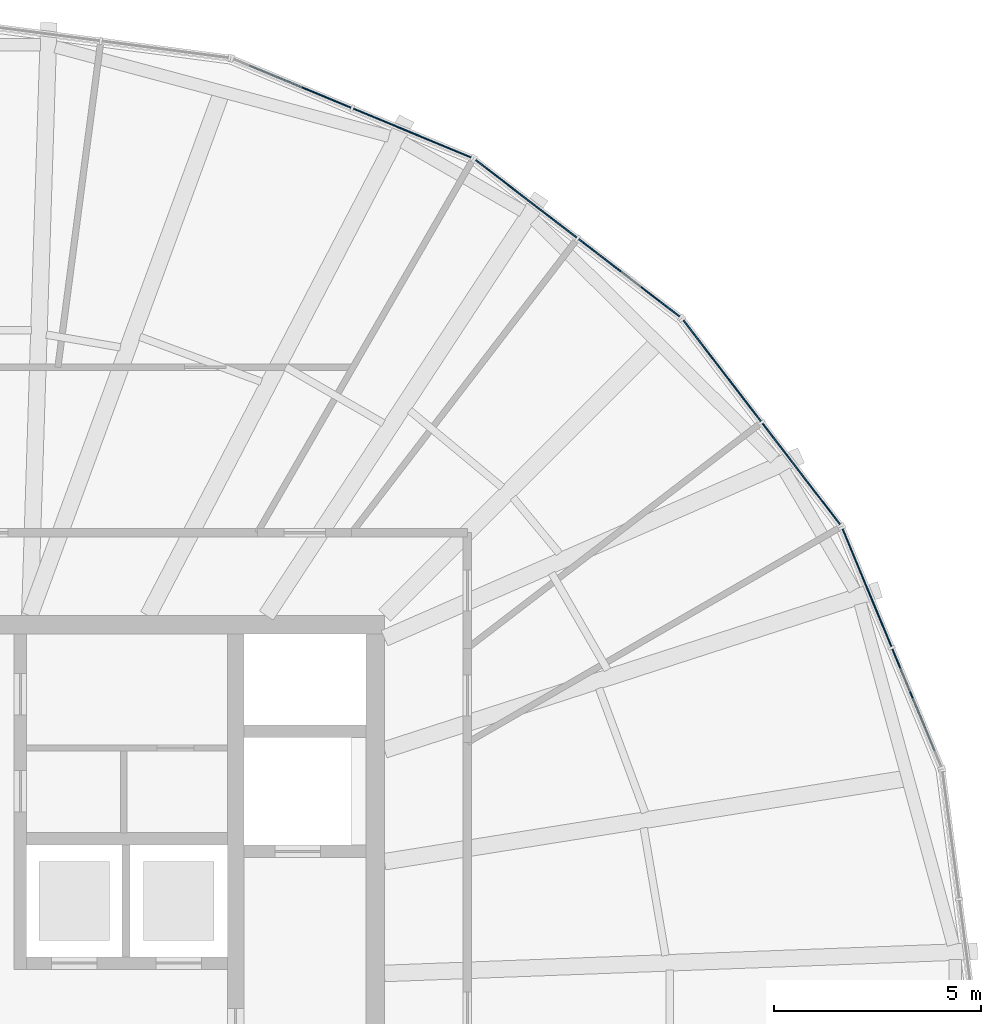
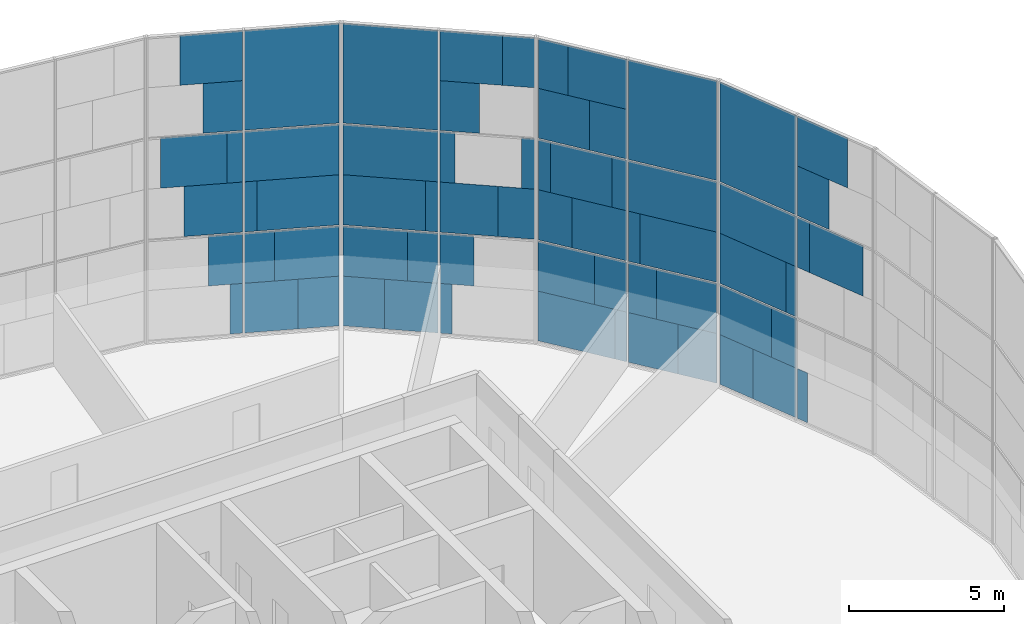
# One storey, part 17 of 22: 66 plates, 4 elements without a shape of their own.
"""IFC4 building model written with IfcOpenShell, lengths in metres."""

from ifc_helpers import new_model, si_unit, direction, frame, origin, origin_2d, place, context, subcontext, project, spatial, rectangle, extrude, material, layer, layer_set, type_object, element, aggregate, save


model = new_model("IFC4")

# Units and contexts
model_context = context("Model", 3, precision=1e-05, world=origin(), true_north=direction((0.0, 1.0)))
body_context = subcontext(model_context, "Body", "Model", "MODEL_VIEW")
ifc_project = project(units=[si_unit("LENGTHUNIT", "METRE"), si_unit("AREAUNIT", "SQUARE_METRE"), si_unit("VOLUMEUNIT", "CUBIC_METRE"), si_unit("PLANEANGLEUNIT", "RADIAN"), si_unit("MASSUNIT", "GRAM", prefix="KILO")], contexts=[model_context])

# Site, building, storey
site_placement = place(None, origin())
site = spatial("IfcSite", under=ifc_project, at=site_placement, CompositionType="ELEMENT")
building_placement = place(site_placement, origin())
building = spatial("IfcBuilding", under=site, at=building_placement, Name="Golbaran Civic Tower", CompositionType="ELEMENT")
storey_placement = place(building_placement, frame((0.0, 0.0, 155.0)))
storey = spatial("IfcBuildingStorey", under=building, at=storey_placement, Name="L37", CompositionType="ELEMENT", Elevation=155.0)

# Curtain wall, plates
ifc_material_1 = material(Name="Aluminium and glass", Category="aluminium")
curtain_wall_type = type_object("IfcCurtainWallType", Name="INNER SKIN CURTAIN WALL", PredefinedType="NOTDEFINED", material=ifc_material_1)
curtain_wall_1_placement = place(storey_placement, origin())
curtain_wall_1 = element("IfcCurtainWall", 1, at=curtain_wall_1_placement, inside=storey, type_object=curtain_wall_type, Name="Inner skin L37 facet 2 CW1", ObjectType="INNER SKIN", PredefinedType="USERDEFINED")
ifc_material_2 = material(Name="Clear insulating glass", Category="glass")
ifc_layer_1 = layer(ifc_material_2, 0.031982421875, Name="Clear insulating glass")
ifc_layer_set_1 = layer_set([ifc_layer_1], Name="Clear insulating glass")
plate_type_1 = type_object("IfcPlateType", Name="INNER SKIN CURTAIN WALL GLAZED PANEL", PredefinedType="CURTAIN_PANEL", material=ifc_layer_set_1)
plate_1_placement = place(storey_placement, frame((22.367431640625, 8.9609375, 6.0), z_axis=(0.0, 0.0, 1.0), x_axis=(-0.382683432268, 0.923879532551, 0.0)))
plate_1 = element("IfcPlate", 2, at=plate_1_placement, type_object=plate_type_1, Name="CW1 panel 1.2 part 5", PredefinedType="CURTAIN_PANEL", context=body_context, shape_type="SweptSolid", body=[
    extrude(rectangle(XDim=0.49658203125, YDim=0.031982421875, at=origin_2d()), origin(), (0.0, 0.0, 1.0), 1.967529296875),
])
plate_2_placement = place(storey_placement, frame((22.517578125, 8.598388671875, 8.032470703125), z_axis=(0.0, 0.0, 1.0), x_axis=(-0.382683432268, 0.923879532551, 0.0)))
plate_2 = element("IfcPlate", 3, at=plate_2_placement, type_object=plate_type_1, Name="CW1 panel 1.3 part 2", PredefinedType="CURTAIN_PANEL", context=body_context, shape_type="SweptSolid", body=[
    extrude(rectangle(XDim=1.281494140625, YDim=0.031982421875, at=origin_2d()), origin(), (0.0, 0.0, 1.0), 1.951171875),
])
plate_3_placement = place(storey_placement, frame((22.661865234375, 8.25, 9.98388671875), z_axis=(0.0, 0.0, 1.0), x_axis=(-0.382683432268, 0.923879532551, 0.0)))
plate_3 = element("IfcPlate", 4, at=plate_3_placement, type_object=plate_type_1, Name="CW1 panel 1.3 part 4", PredefinedType="CURTAIN_PANEL", context=body_context, shape_type="SweptSolid", body=[
    extrude(rectangle(XDim=2.03564453125, YDim=0.031982421875, at=origin_2d()), origin(), (0.0, 0.0, 1.0), 1.951171875),
])
plate_4_placement = place(storey_placement, frame((21.328369140625, 11.4697265625, 0.06494140625), z_axis=(0.0, 0.0, 1.0), x_axis=(-0.382683432268, 0.923879532551, 0.0)))
plate_4 = element("IfcPlate", 5, at=plate_4_placement, type_object=plate_type_1, Name="CW1 panel 2.1 part 2", PredefinedType="CURTAIN_PANEL", context=body_context, shape_type="SweptSolid", body=[
    extrude(rectangle(XDim=1.344482421875, YDim=0.031982421875, at=origin_2d()), origin(), (0.0, 0.0, 1.0), 1.951171875),
])
plate_5_placement = place(storey_placement, frame((21.47265625, 11.12158203125, 2.016357421875), z_axis=(0.0, 0.0, 1.0), x_axis=(-0.382683432268, 0.923879532551, 0.0)))
plate_5 = element("IfcPlate", 6, at=plate_5_placement, type_object=plate_type_1, Name="CW1 panel 2.1 part 4", PredefinedType="CURTAIN_PANEL", context=body_context, shape_type="SweptSolid", body=[
    extrude(rectangle(XDim=2.0986328125, YDim=0.031982421875, at=origin_2d()), origin(), (0.0, 0.0, 1.0), 1.951171875),
])
plate_6_placement = place(storey_placement, frame((21.582763671875, 10.85546875, 4.03271484375), z_axis=(0.0, 0.0, 1.0), x_axis=(-0.382683432268, 0.923879532551, 0.0)))
plate_6 = element("IfcPlate", 7, at=plate_6_placement, type_object=plate_type_1, Name="CW1 panel 2.2 part 2", PredefinedType="CURTAIN_PANEL", context=body_context, shape_type="SweptSolid", body=[
    extrude(rectangle(XDim=2.674560546875, YDim=0.031982421875, at=origin_2d()), origin(), (0.0, 0.0, 1.0), 1.967529296875),
])
plate_7_placement = place(storey_placement, frame((21.659423828125, 10.670654296875, 6.0), z_axis=(0.0, 0.0, 1.0), x_axis=(-0.382683432268, 0.923879532551, 0.0)))
plate_7 = element("IfcPlate", 8, at=plate_7_placement, type_object=plate_type_1, Name="CW1 panel 2.2 part 3", PredefinedType="CURTAIN_PANEL", context=body_context, shape_type="SweptSolid", body=[
    extrude(rectangle(XDim=3.074462890625, YDim=0.031982421875, at=origin_2d()), origin(), (0.0, 0.0, 1.0), 1.967529296875),
])
plate_8_placement = place(storey_placement, frame((21.659423828125, 10.670654296875, 8.0322265625), z_axis=(0.0, 0.0, 1.0), x_axis=(-0.382683432268, 0.923879532551, 0.0)))
plate_8 = element("IfcPlate", 9, at=plate_8_placement, type_object=plate_type_1, Name="CW1 panel 2.3", PredefinedType="CURTAIN_PANEL", context=body_context, shape_type="SweptSolid", body=[
    extrude(rectangle(XDim=3.074462890625, YDim=0.031982421875, at=origin_2d()), origin(), (0.0, 0.0, 1.0), 3.902587890625),
])

curtain_wall_2_placement = place(storey_placement, origin())
curtain_wall_2 = element("IfcCurtainWall", 10, at=curtain_wall_2_placement, inside=storey, type_object=curtain_wall_type, Name="Inner skin L37 facet 3 CW1", ObjectType="INNER SKIN", PredefinedType="USERDEFINED")
plate_9_placement = place(storey_placement, frame((20.59716796875, 12.736083984375, 0.06494140625), z_axis=(0.0, 0.0, 1.0), x_axis=(-0.608761429106, 0.793353340217, 0.0)))
plate_9 = element("IfcPlate", 11, at=plate_9_placement, type_object=plate_type_1, Name="CW1 panel 1.1 part 1", PredefinedType="CURTAIN_PANEL", context=body_context, shape_type="SweptSolid", body=[
    extrude(rectangle(XDim=1.344970703125, YDim=0.031982421875, at=origin_2d()), origin(), (0.0, 0.0, 1.0), 1.951171875),
])
plate_10_placement = place(storey_placement, frame((20.367919921875, 13.034912109375, 2.016357421875), z_axis=(0.0, 0.0, 1.0), x_axis=(-0.608761429106, 0.793353340217, 0.0)))
plate_10 = element("IfcPlate", 12, at=plate_10_placement, type_object=plate_type_1, Name="CW1 panel 1.1 part 3", PredefinedType="CURTAIN_PANEL", context=body_context, shape_type="SweptSolid", body=[
    extrude(rectangle(XDim=2.097900390625, YDim=0.031982421875, at=origin_2d()), origin(), (0.0, 0.0, 1.0), 1.951171875),
])
plate_11_placement = place(storey_placement, frame((20.19287109375, 13.262939453125, 4.03271484375), z_axis=(0.0, 0.0, 1.0), x_axis=(-0.608761429106, 0.793353340217, 0.0)))
plate_11 = element("IfcPlate", 13, at=plate_11_placement, type_object=plate_type_1, Name="CW1 panel 1.2 part 1", PredefinedType="CURTAIN_PANEL", context=body_context, shape_type="SweptSolid", body=[
    extrude(rectangle(XDim=2.673095703125, YDim=0.031982421875, at=origin_2d()), origin(), (0.0, 0.0, 1.0), 1.967529296875),
])
plate_12_placement = place(storey_placement, frame((20.07080078125, 13.422119140625, 6.0), z_axis=(0.0, 0.0, 1.0), x_axis=(-0.608761429106, 0.793353340217, 0.0)))
plate_12 = element("IfcPlate", 14, at=plate_12_placement, type_object=plate_type_1, Name="CW1 panel 1.2 part 3", PredefinedType="CURTAIN_PANEL", context=body_context, shape_type="SweptSolid", body=[
    extrude(rectangle(XDim=3.074462890625, YDim=0.031982421875, at=origin_2d()), origin(), (0.0, 0.0, 1.0), 1.967529296875),
])
plate_13_placement = place(storey_placement, frame((20.07080078125, 13.422119140625, 8.0322265625), z_axis=(0.0, 0.0, 1.0), x_axis=(-0.608761429106, 0.793353340217, 0.0)))
plate_13 = element("IfcPlate", 15, at=plate_13_placement, type_object=plate_type_1, Name="CW1 panel 1.3", PredefinedType="CURTAIN_PANEL", context=body_context, shape_type="SweptSolid", body=[
    extrude(rectangle(XDim=3.074462890625, YDim=0.031982421875, at=origin_2d()), origin(), (0.0, 0.0, 1.0), 3.902587890625),
])
plate_14_placement = place(storey_placement, frame((18.037353515625, 16.072021484375, 0.06494140625), z_axis=(0.0, 0.0, 1.0), x_axis=(-0.608761429106, 0.793353340217, 0.0)))
plate_14 = element("IfcPlate", 16, at=plate_14_placement, type_object=plate_type_1, Name="CW1 panel 2.1 part 2", PredefinedType="CURTAIN_PANEL", context=body_context, shape_type="SweptSolid", body=[
    extrude(rectangle(XDim=2.673583984375, YDim=0.031982421875, at=origin_2d()), origin(), (0.0, 0.0, 1.0), 1.951171875),
])
plate_15_placement = place(storey_placement, frame((17.821533203125, 16.353271484375, 2.016357421875), z_axis=(0.0, 0.0, 1.0), x_axis=(-0.608761429106, 0.793353340217, 0.0)))
plate_15 = element("IfcPlate", 17, at=plate_15_placement, type_object=plate_type_1, Name="CW1 panel 2.1 part 4", PredefinedType="CURTAIN_PANEL", context=body_context, shape_type="SweptSolid", body=[
    extrude(rectangle(XDim=1.964599609375, YDim=0.031982421875, at=origin_2d()), origin(), (0.0, 0.0, 1.0), 1.951171875),
])
plate_16_placement = place(storey_placement, frame((17.582763671875, 16.66455078125, 4.03271484375), z_axis=(0.0, 0.0, 1.0), x_axis=(-0.608761429106, 0.793353340217, 0.0)))
plate_16 = element("IfcPlate", 18, at=plate_16_placement, type_object=plate_type_1, Name="CW1 panel 2.2 part 2", PredefinedType="CURTAIN_PANEL", context=body_context, shape_type="SweptSolid", body=[
    extrude(rectangle(XDim=1.179443359375, YDim=0.031982421875, at=origin_2d()), origin(), (0.0, 0.0, 1.0), 1.967529296875),
])
plate_17_placement = place(storey_placement, frame((18.944091796875, 14.890380859375, 6.0), z_axis=(0.0, 0.0, 1.0), x_axis=(-0.608761429106, 0.793353340217, 0.0)))
plate_17 = element("IfcPlate", 19, at=plate_17_placement, type_object=plate_type_1, Name="CW1 panel 2.2 part 3", PredefinedType="CURTAIN_PANEL", context=body_context, shape_type="SweptSolid", body=[
    extrude(rectangle(XDim=0.4970703125, YDim=0.031982421875, at=origin_2d()), origin(), (0.0, 0.0, 1.0), 1.967529296875),
])
plate_18_placement = place(storey_placement, frame((17.351318359375, 16.966064453125, 6.0), z_axis=(0.0, 0.0, 1.0), x_axis=(-0.608761429106, 0.793353340217, 0.0)))
plate_18 = element("IfcPlate", 20, at=plate_18_placement, type_object=plate_type_1, Name="CW1 panel 2.2 part 5", PredefinedType="CURTAIN_PANEL", context=body_context, shape_type="SweptSolid", body=[
    extrude(rectangle(XDim=0.41943359375, YDim=0.031982421875, at=origin_2d()), origin(), (0.0, 0.0, 1.0), 1.967529296875),
])
plate_19_placement = place(storey_placement, frame((18.705078125, 15.201904296875, 8.032470703125), z_axis=(0.0, 0.0, 1.0), x_axis=(-0.608761429106, 0.793353340217, 0.0)))
plate_19 = element("IfcPlate", 21, at=plate_19_placement, type_object=plate_type_1, Name="CW1 panel 2.3 part 1", PredefinedType="CURTAIN_PANEL", context=body_context, shape_type="SweptSolid", body=[
    extrude(rectangle(XDim=1.281982421875, YDim=0.031982421875, at=origin_2d()), origin(), (0.0, 0.0, 1.0), 1.951171875),
])
plate_20_placement = place(storey_placement, frame((18.475830078125, 15.50048828125, 9.98388671875), z_axis=(0.0, 0.0, 1.0), x_axis=(-0.608761429106, 0.793353340217, 0.0)))
plate_20 = element("IfcPlate", 22, at=plate_20_placement, type_object=plate_type_1, Name="CW1 panel 2.3 part 3", PredefinedType="CURTAIN_PANEL", context=body_context, shape_type="SweptSolid", body=[
    extrude(rectangle(XDim=2.034912109375, YDim=0.031982421875, at=origin_2d()), origin(), (0.0, 0.0, 1.0), 1.951171875),
])

curtain_wall_3_placement = place(storey_placement, origin())
curtain_wall_3 = element("IfcCurtainWall", 23, at=curtain_wall_3_placement, inside=storey, type_object=curtain_wall_type, Name="Inner skin L37 facet 4 CW1", ObjectType="INNER SKIN", PredefinedType="USERDEFINED")
plate_21_placement = place(storey_placement, frame((16.66455078125, 17.582763671875, 4.03271484375), z_axis=(0.0, 0.0, 1.0), x_axis=(-0.793353340217, 0.608761429106, 0.0)))
plate_21 = element("IfcPlate", 24, at=plate_21_placement, type_object=plate_type_1, Name="CW1 panel 1.2 part 1", PredefinedType="CURTAIN_PANEL", context=body_context, shape_type="SweptSolid", body=[
    extrude(rectangle(XDim=1.179931640625, YDim=0.031982421875, at=origin_2d()), origin(), (0.0, 0.0, 1.0), 1.967529296875),
])
plate_22_placement = place(storey_placement, frame((16.9658203125, 17.3515625, 6.0), z_axis=(0.0, 0.0, 1.0), x_axis=(-0.793353340217, 0.608761429106, 0.0)))
plate_22 = element("IfcPlate", 25, at=plate_22_placement, type_object=plate_type_1, Name="CW1 panel 1.2 part 3", PredefinedType="CURTAIN_PANEL", context=body_context, shape_type="SweptSolid", body=[
    extrude(rectangle(XDim=0.419921875, YDim=0.031982421875, at=origin_2d()), origin(), (0.0, 0.0, 1.0), 1.967529296875),
])
plate_23_placement = place(storey_placement, frame((14.890380859375, 18.944091796875, 6.0), z_axis=(0.0, 0.0, 1.0), x_axis=(-0.793353340217, 0.608761429106, 0.0)))
plate_23 = element("IfcPlate", 26, at=plate_23_placement, type_object=plate_type_1, Name="CW1 panel 1.2 part 5", PredefinedType="CURTAIN_PANEL", context=body_context, shape_type="SweptSolid", body=[
    extrude(rectangle(XDim=0.49658203125, YDim=0.031982421875, at=origin_2d()), origin(), (0.0, 0.0, 1.0), 1.967529296875),
])
plate_24_placement = place(storey_placement, frame((15.20166015625, 18.705322265625, 8.032470703125), z_axis=(0.0, 0.0, 1.0), x_axis=(-0.793353340217, 0.608761429106, 0.0)))
plate_24 = element("IfcPlate", 27, at=plate_24_placement, type_object=plate_type_1, Name="CW1 panel 1.3 part 2", PredefinedType="CURTAIN_PANEL", context=body_context, shape_type="SweptSolid", body=[
    extrude(rectangle(XDim=1.281494140625, YDim=0.031982421875, at=origin_2d()), origin(), (0.0, 0.0, 1.0), 1.951171875),
])
plate_25_placement = place(storey_placement, frame((15.500732421875, 18.475830078125, 9.98388671875), z_axis=(0.0, 0.0, 1.0), x_axis=(-0.793353340217, 0.608761429106, 0.0)))
plate_25 = element("IfcPlate", 28, at=plate_25_placement, type_object=plate_type_1, Name="CW1 panel 1.3 part 4", PredefinedType="CURTAIN_PANEL", context=body_context, shape_type="SweptSolid", body=[
    extrude(rectangle(XDim=2.03564453125, YDim=0.031982421875, at=origin_2d()), origin(), (0.0, 0.0, 1.0), 1.951171875),
])
plate_26_placement = place(storey_placement, frame((12.73583984375, 20.597412109375, 0.06494140625), z_axis=(0.0, 0.0, 1.0), x_axis=(-0.793353340217, 0.608761429106, 0.0)))
plate_26 = element("IfcPlate", 29, at=plate_26_placement, type_object=plate_type_1, Name="CW1 panel 2.1 part 2", PredefinedType="CURTAIN_PANEL", context=body_context, shape_type="SweptSolid", body=[
    extrude(rectangle(XDim=1.344482421875, YDim=0.031982421875, at=origin_2d()), origin(), (0.0, 0.0, 1.0), 1.951171875),
])
plate_27_placement = place(storey_placement, frame((13.034912109375, 20.367919921875, 2.016357421875), z_axis=(0.0, 0.0, 1.0), x_axis=(-0.793353340217, 0.608761429106, 0.0)))
plate_27 = element("IfcPlate", 30, at=plate_27_placement, type_object=plate_type_1, Name="CW1 panel 2.1 part 4", PredefinedType="CURTAIN_PANEL", context=body_context, shape_type="SweptSolid", body=[
    extrude(rectangle(XDim=2.0986328125, YDim=0.031982421875, at=origin_2d()), origin(), (0.0, 0.0, 1.0), 1.951171875),
])
plate_28_placement = place(storey_placement, frame((13.263427734375, 20.1923828125, 4.03271484375), z_axis=(0.0, 0.0, 1.0), x_axis=(-0.793353340217, 0.608761429106, 0.0)))
plate_28 = element("IfcPlate", 31, at=plate_28_placement, type_object=plate_type_1, Name="CW1 panel 2.2 part 2", PredefinedType="CURTAIN_PANEL", context=body_context, shape_type="SweptSolid", body=[
    extrude(rectangle(XDim=2.674560546875, YDim=0.031982421875, at=origin_2d()), origin(), (0.0, 0.0, 1.0), 1.967529296875),
])
plate_29_placement = place(storey_placement, frame((13.422119140625, 20.07080078125, 6.0), z_axis=(0.0, 0.0, 1.0), x_axis=(-0.793353340217, 0.608761429106, 0.0)))
plate_29 = element("IfcPlate", 32, at=plate_29_placement, type_object=plate_type_1, Name="CW1 panel 2.2 part 3", PredefinedType="CURTAIN_PANEL", context=body_context, shape_type="SweptSolid", body=[
    extrude(rectangle(XDim=3.074462890625, YDim=0.031982421875, at=origin_2d()), origin(), (0.0, 0.0, 1.0), 1.967529296875),
])
plate_30_placement = place(storey_placement, frame((13.422119140625, 20.07080078125, 8.0322265625), z_axis=(0.0, 0.0, 1.0), x_axis=(-0.793353340217, 0.608761429106, 0.0)))
plate_30 = element("IfcPlate", 33, at=plate_30_placement, type_object=plate_type_1, Name="CW1 panel 2.3", PredefinedType="CURTAIN_PANEL", context=body_context, shape_type="SweptSolid", body=[
    extrude(rectangle(XDim=3.074462890625, YDim=0.031982421875, at=origin_2d()), origin(), (0.0, 0.0, 1.0), 3.902587890625),
])

curtain_wall_4_placement = place(storey_placement, origin())
curtain_wall_4 = element("IfcCurtainWall", 34, at=curtain_wall_4_placement, inside=storey, type_object=curtain_wall_type, Name="Inner skin L37 facet 5 CW1", ObjectType="INNER SKIN", PredefinedType="USERDEFINED")
plate_31_placement = place(storey_placement, frame((11.4697265625, 21.328369140625, 0.06494140625), z_axis=(0.0, 0.0, 1.0), x_axis=(-0.923879532551, 0.382683432268, 0.0)))
plate_31 = element("IfcPlate", 35, at=plate_31_placement, type_object=plate_type_1, Name="CW1 panel 1.1 part 1", PredefinedType="CURTAIN_PANEL", context=body_context, shape_type="SweptSolid", body=[
    extrude(rectangle(XDim=1.344970703125, YDim=0.031982421875, at=origin_2d()), origin(), (0.0, 0.0, 1.0), 1.951171875),
])
plate_32_placement = place(storey_placement, frame((11.121826171875, 21.472412109375, 2.016357421875), z_axis=(0.0, 0.0, 1.0), x_axis=(-0.923879532551, 0.382683432268, 0.0)))
plate_32 = element("IfcPlate", 36, at=plate_32_placement, type_object=plate_type_1, Name="CW1 panel 1.1 part 3", PredefinedType="CURTAIN_PANEL", context=body_context, shape_type="SweptSolid", body=[
    extrude(rectangle(XDim=2.097900390625, YDim=0.031982421875, at=origin_2d()), origin(), (0.0, 0.0, 1.0), 1.951171875),
])
plate_33_placement = place(storey_placement, frame((10.856201171875, 21.58251953125, 4.03271484375), z_axis=(0.0, 0.0, 1.0), x_axis=(-0.923879532551, 0.382683432268, 0.0)))
plate_33 = element("IfcPlate", 37, at=plate_33_placement, type_object=plate_type_1, Name="CW1 panel 1.2 part 1", PredefinedType="CURTAIN_PANEL", context=body_context, shape_type="SweptSolid", body=[
    extrude(rectangle(XDim=2.673095703125, YDim=0.031982421875, at=origin_2d()), origin(), (0.0, 0.0, 1.0), 1.967529296875),
])
plate_34_placement = place(storey_placement, frame((10.670654296875, 21.659423828125, 6.0), z_axis=(0.0, 0.0, 1.0), x_axis=(-0.923879532551, 0.382683432268, 0.0)))
plate_34 = element("IfcPlate", 38, at=plate_34_placement, type_object=plate_type_1, Name="CW1 panel 1.2 part 3", PredefinedType="CURTAIN_PANEL", context=body_context, shape_type="SweptSolid", body=[
    extrude(rectangle(XDim=3.074462890625, YDim=0.031982421875, at=origin_2d()), origin(), (0.0, 0.0, 1.0), 1.967529296875),
])
plate_35_placement = place(storey_placement, frame((10.670654296875, 21.659423828125, 8.0322265625), z_axis=(0.0, 0.0, 1.0), x_axis=(-0.923879532551, 0.382683432268, 0.0)))
plate_35 = element("IfcPlate", 39, at=plate_35_placement, type_object=plate_type_1, Name="CW1 panel 1.3", PredefinedType="CURTAIN_PANEL", context=body_context, shape_type="SweptSolid", body=[
    extrude(rectangle(XDim=3.074462890625, YDim=0.031982421875, at=origin_2d()), origin(), (0.0, 0.0, 1.0), 3.902587890625),
])
plate_36_placement = place(storey_placement, frame((8.960693359375, 22.36767578125, 6.0), z_axis=(0.0, 0.0, 1.0), x_axis=(-0.923879532551, 0.382683432268, 0.0)))
plate_36 = element("IfcPlate", 40, at=plate_36_placement, type_object=plate_type_1, Name="CW1 panel 2.2 part 3", PredefinedType="CURTAIN_PANEL", context=body_context, shape_type="SweptSolid", body=[
    extrude(rectangle(XDim=0.4970703125, YDim=0.031982421875, at=origin_2d()), origin(), (0.0, 0.0, 1.0), 1.967529296875),
])
plate_37_placement = place(storey_placement, frame((8.59814453125, 22.517822265625, 8.032470703125), z_axis=(0.0, 0.0, 1.0), x_axis=(-0.923879532551, 0.382683432268, 0.0)))
plate_37 = element("IfcPlate", 41, at=plate_37_placement, type_object=plate_type_1, Name="CW1 panel 2.3 part 1", PredefinedType="CURTAIN_PANEL", context=body_context, shape_type="SweptSolid", body=[
    extrude(rectangle(XDim=1.281982421875, YDim=0.031982421875, at=origin_2d()), origin(), (0.0, 0.0, 1.0), 1.951171875),
])
plate_38_placement = place(storey_placement, frame((8.250244140625, 22.661865234375, 9.98388671875), z_axis=(0.0, 0.0, 1.0), x_axis=(-0.923879532551, 0.382683432268, 0.0)))
plate_38 = element("IfcPlate", 42, at=plate_38_placement, type_object=plate_type_1, Name="CW1 panel 2.3 part 3", PredefinedType="CURTAIN_PANEL", context=body_context, shape_type="SweptSolid", body=[
    extrude(rectangle(XDim=2.034912109375, YDim=0.031982421875, at=origin_2d()), origin(), (0.0, 0.0, 1.0), 1.951171875),
])

# Plate
ifc_material_3 = material(Name="Aluminium faced opaque infill panel", Category="aluminium")
ifc_layer_2 = layer(ifc_material_3, 0.031982421875, Name="Aluminium faced opaque infill panel")
ifc_layer_set_2 = layer_set([ifc_layer_2], Name="Aluminium faced opaque infill panel")
plate_type_2 = type_object("IfcPlateType", Name="INNER SKIN CURTAIN WALL OPAQUE INFILL PANEL", PredefinedType="CURTAIN_PANEL", material=ifc_layer_set_2)
plate_39_placement = place(storey_placement, frame((22.349365234375, 9.0048828125, 0.06494140625), z_axis=(0.0, 0.0, 1.0), x_axis=(-0.382683432268, 0.923879532551, 0.0)))
plate_39 = element("IfcPlate", 43, at=plate_39_placement, type_object=plate_type_2, Name="CW1 infill panel 1.1 part 2", PredefinedType="CURTAIN_PANEL", context=body_context, shape_type="SweptSolid", body=[
    extrude(rectangle(XDim=0.401611328125, YDim=0.031982421875, at=origin_2d()), origin(), (0.0, 0.0, 1.0), 1.951171875),
])

plate_40_placement = place(storey_placement, frame((22.87548828125, 7.73486328125, 6.0), z_axis=(0.0, 0.0, 1.0), x_axis=(-0.382683432268, 0.923879532551, 0.0)))
plate_40 = element("IfcPlate", 44, at=plate_40_placement, type_object=plate_type_2, Name="CW1 infill panel 1.2 part 4", PredefinedType="CURTAIN_PANEL", context=body_context, shape_type="SweptSolid", body=[
    extrude(rectangle(XDim=2.157958984375, YDim=0.031982421875, at=origin_2d()), origin(), (0.0, 0.0, 1.0), 1.967529296875),
])

plate_41_placement = place(storey_placement, frame((21.91650390625, 10.049560546875, 0.06494140625), z_axis=(0.0, 0.0, 1.0), x_axis=(-0.382683432268, 0.923879532551, 0.0)))
plate_41 = element("IfcPlate", 45, at=plate_41_placement, type_object=plate_type_2, Name="CW1 infill panel 2.1 part 1", PredefinedType="CURTAIN_PANEL", context=body_context, shape_type="SweptSolid", body=[
    extrude(rectangle(XDim=1.72998046875, YDim=0.031982421875, at=origin_2d()), origin(), (0.0, 0.0, 1.0), 1.951171875),
])

plate_42_placement = place(storey_placement, frame((22.060791015625, 9.701171875, 2.016357421875), z_axis=(0.0, 0.0, 1.0), x_axis=(-0.382683432268, 0.923879532551, 0.0)))
plate_42 = element("IfcPlate", 46, at=plate_42_placement, type_object=plate_type_2, Name="CW1 infill panel 2.1 part 3", PredefinedType="CURTAIN_PANEL", context=body_context, shape_type="SweptSolid", body=[
    extrude(rectangle(XDim=0.97607421875, YDim=0.031982421875, at=origin_2d()), origin(), (0.0, 0.0, 1.0), 1.951171875),
])

plate_43_placement = place(storey_placement, frame((22.171142578125, 9.435302734375, 4.03271484375), z_axis=(0.0, 0.0, 1.0), x_axis=(-0.382683432268, 0.923879532551, 0.0)))
plate_43 = element("IfcPlate", 47, at=plate_43_placement, type_object=plate_type_2, Name="CW1 infill panel 2.2 part 1", PredefinedType="CURTAIN_PANEL", context=body_context, shape_type="SweptSolid", body=[
    extrude(rectangle(XDim=0.39990234375, YDim=0.031982421875, at=origin_2d()), origin(), (0.0, 0.0, 1.0), 1.967529296875),
])

aggregate(curtain_wall_1, [plate_39, plate_40, plate_1, plate_2, plate_3, plate_41, plate_4, plate_42, plate_5, plate_43, plate_6, plate_7, plate_8])

plate_44_placement = place(storey_placement, frame((19.661376953125, 13.955810546875, 0.06494140625), z_axis=(0.0, 0.0, 1.0), x_axis=(-0.608761429106, 0.793353340217, 0.0)))
plate_44 = element("IfcPlate", 48, at=plate_44_placement, type_object=plate_type_2, Name="CW1 infill panel 1.1 part 2", PredefinedType="CURTAIN_PANEL", context=body_context, shape_type="SweptSolid", body=[
    extrude(rectangle(XDim=1.7294921875, YDim=0.031982421875, at=origin_2d()), origin(), (0.0, 0.0, 1.0), 1.951171875),
])

plate_45_placement = place(storey_placement, frame((19.43212890625, 14.25439453125, 2.016357421875), z_axis=(0.0, 0.0, 1.0), x_axis=(-0.608761429106, 0.793353340217, 0.0)))
plate_45 = element("IfcPlate", 49, at=plate_45_placement, type_object=plate_type_2, Name="CW1 infill panel 1.1 part 4", PredefinedType="CURTAIN_PANEL", context=body_context, shape_type="SweptSolid", body=[
    extrude(rectangle(XDim=0.9765625, YDim=0.031982421875, at=origin_2d()), origin(), (0.0, 0.0, 1.0), 1.951171875),
])

plate_46_placement = place(storey_placement, frame((19.257080078125, 14.482421875, 4.03271484375), z_axis=(0.0, 0.0, 1.0), x_axis=(-0.608761429106, 0.793353340217, 0.0)))
plate_46 = element("IfcPlate", 50, at=plate_46_placement, type_object=plate_type_2, Name="CW1 infill panel 1.2 part 2", PredefinedType="CURTAIN_PANEL", context=body_context, shape_type="SweptSolid", body=[
    extrude(rectangle(XDim=0.401611328125, YDim=0.031982421875, at=origin_2d()), origin(), (0.0, 0.0, 1.0), 1.967529296875),
])

plate_47_placement = place(storey_placement, frame((18.973388671875, 14.852294921875, 0.06494140625), z_axis=(0.0, 0.0, 1.0), x_axis=(-0.608761429106, 0.793353340217, 0.0)))
plate_47 = element("IfcPlate", 51, at=plate_47_placement, type_object=plate_type_2, Name="CW1 infill panel 2.1 part 1", PredefinedType="CURTAIN_PANEL", context=body_context, shape_type="SweptSolid", body=[
    extrude(rectangle(XDim=0.40087890625, YDim=0.031982421875, at=origin_2d()), origin(), (0.0, 0.0, 1.0), 1.951171875),
])

plate_48_placement = place(storey_placement, frame((18.757568359375, 15.133544921875, 2.016357421875), z_axis=(0.0, 0.0, 1.0), x_axis=(-0.608761429106, 0.793353340217, 0.0)))
plate_48 = element("IfcPlate", 52, at=plate_48_placement, type_object=plate_type_2, Name="CW1 infill panel 2.1 part 3", PredefinedType="CURTAIN_PANEL", context=body_context, shape_type="SweptSolid", body=[
    extrude(rectangle(XDim=1.110107421875, YDim=0.031982421875, at=origin_2d()), origin(), (0.0, 0.0, 1.0), 1.951171875),
])

plate_49_placement = place(storey_placement, frame((18.5185546875, 15.445068359375, 4.03271484375), z_axis=(0.0, 0.0, 1.0), x_axis=(-0.608761429106, 0.793353340217, 0.0)))
plate_49 = element("IfcPlate", 53, at=plate_49_placement, type_object=plate_type_2, Name="CW1 infill panel 2.2 part 1", PredefinedType="CURTAIN_PANEL", context=body_context, shape_type="SweptSolid", body=[
    extrude(rectangle(XDim=1.89501953125, YDim=0.031982421875, at=origin_2d()), origin(), (0.0, 0.0, 1.0), 1.967529296875),
])

plate_50_placement = place(storey_placement, frame((18.135986328125, 15.943603515625, 6.0), z_axis=(0.0, 0.0, 1.0), x_axis=(-0.608761429106, 0.793353340217, 0.0)))
plate_50 = element("IfcPlate", 54, at=plate_50_placement, type_object=plate_type_2, Name="CW1 infill panel 2.2 part 4", PredefinedType="CURTAIN_PANEL", context=body_context, shape_type="SweptSolid", body=[
    extrude(rectangle(XDim=2.157958984375, YDim=0.031982421875, at=origin_2d()), origin(), (0.0, 0.0, 1.0), 1.967529296875),
])

plate_51_placement = place(storey_placement, frame((17.769287109375, 16.42138671875, 8.032470703125), z_axis=(0.0, 0.0, 1.0), x_axis=(-0.608761429106, 0.793353340217, 0.0)))
plate_51 = element("IfcPlate", 55, at=plate_51_placement, type_object=plate_type_2, Name="CW1 infill panel 2.3 part 2", PredefinedType="CURTAIN_PANEL", context=body_context, shape_type="SweptSolid", body=[
    extrude(rectangle(XDim=1.79248046875, YDim=0.031982421875, at=origin_2d()), origin(), (0.0, 0.0, 1.0), 1.951171875),
])

plate_52_placement = place(storey_placement, frame((17.5400390625, 16.72021484375, 9.98388671875), z_axis=(0.0, 0.0, 1.0), x_axis=(-0.608761429106, 0.793353340217, 0.0)))
plate_52 = element("IfcPlate", 56, at=plate_52_placement, type_object=plate_type_2, Name="CW1 infill panel 2.3 part 4", PredefinedType="CURTAIN_PANEL", context=body_context, shape_type="SweptSolid", body=[
    extrude(rectangle(XDim=1.03955078125, YDim=0.031982421875, at=origin_2d()), origin(), (0.0, 0.0, 1.0), 1.951171875),
])

aggregate(curtain_wall_2, [plate_9, plate_44, plate_10, plate_45, plate_11, plate_46, plate_12, plate_13, plate_47, plate_14, plate_48, plate_15, plate_49, plate_16, plate_17, plate_50, plate_18, plate_19, plate_51, plate_20, plate_52])

plate_53_placement = place(storey_placement, frame((14.8525390625, 18.97314453125, 0.06494140625), z_axis=(0.0, 0.0, 1.0), x_axis=(-0.793353340217, 0.608761429106, 0.0)))
plate_53 = element("IfcPlate", 57, at=plate_53_placement, type_object=plate_type_2, Name="CW1 infill panel 1.1 part 2", PredefinedType="CURTAIN_PANEL", context=body_context, shape_type="SweptSolid", body=[
    extrude(rectangle(XDim=0.401611328125, YDim=0.031982421875, at=origin_2d()), origin(), (0.0, 0.0, 1.0), 1.951171875),
])

plate_54_placement = place(storey_placement, frame((15.1337890625, 18.75732421875, 2.016357421875), z_axis=(0.0, 0.0, 1.0), x_axis=(-0.793353340217, 0.608761429106, 0.0)))
plate_54 = element("IfcPlate", 58, at=plate_54_placement, type_object=plate_type_2, Name="CW1 infill panel 1.1 part 4", PredefinedType="CURTAIN_PANEL", context=body_context, shape_type="SweptSolid", body=[
    extrude(rectangle(XDim=1.110595703125, YDim=0.031982421875, at=origin_2d()), origin(), (0.0, 0.0, 1.0), 1.951171875),
])

plate_55_placement = place(storey_placement, frame((15.44482421875, 18.518798828125, 4.03271484375), z_axis=(0.0, 0.0, 1.0), x_axis=(-0.793353340217, 0.608761429106, 0.0)))
plate_55 = element("IfcPlate", 59, at=plate_55_placement, type_object=plate_type_2, Name="CW1 infill panel 1.2 part 2", PredefinedType="CURTAIN_PANEL", context=body_context, shape_type="SweptSolid", body=[
    extrude(rectangle(XDim=1.89453125, YDim=0.031982421875, at=origin_2d()), origin(), (0.0, 0.0, 1.0), 1.967529296875),
])

plate_56_placement = place(storey_placement, frame((16.720458984375, 17.5400390625, 9.98388671875), z_axis=(0.0, 0.0, 1.0), x_axis=(-0.793353340217, 0.608761429106, 0.0)))
plate_56 = element("IfcPlate", 60, at=plate_56_placement, type_object=plate_type_2, Name="CW1 infill panel 1.3 part 3", PredefinedType="CURTAIN_PANEL", context=body_context, shape_type="SweptSolid", body=[
    extrude(rectangle(XDim=1.0390625, YDim=0.031982421875, at=origin_2d()), origin(), (0.0, 0.0, 1.0), 1.951171875),
])

plate_57_placement = place(storey_placement, frame((13.95556640625, 19.661376953125, 0.06494140625), z_axis=(0.0, 0.0, 1.0), x_axis=(-0.793353340217, 0.608761429106, 0.0)))
plate_57 = element("IfcPlate", 61, at=plate_57_placement, type_object=plate_type_2, Name="CW1 infill panel 2.1 part 1", PredefinedType="CURTAIN_PANEL", context=body_context, shape_type="SweptSolid", body=[
    extrude(rectangle(XDim=1.72998046875, YDim=0.031982421875, at=origin_2d()), origin(), (0.0, 0.0, 1.0), 1.951171875),
])

plate_58_placement = place(storey_placement, frame((14.254638671875, 19.431884765625, 2.016357421875), z_axis=(0.0, 0.0, 1.0), x_axis=(-0.793353340217, 0.608761429106, 0.0)))
plate_58 = element("IfcPlate", 62, at=plate_58_placement, type_object=plate_type_2, Name="CW1 infill panel 2.1 part 3", PredefinedType="CURTAIN_PANEL", context=body_context, shape_type="SweptSolid", body=[
    extrude(rectangle(XDim=0.97607421875, YDim=0.031982421875, at=origin_2d()), origin(), (0.0, 0.0, 1.0), 1.951171875),
])

plate_59_placement = place(storey_placement, frame((14.483154296875, 19.256591796875, 4.03271484375), z_axis=(0.0, 0.0, 1.0), x_axis=(-0.793353340217, 0.608761429106, 0.0)))
plate_59 = element("IfcPlate", 63, at=plate_59_placement, type_object=plate_type_2, Name="CW1 infill panel 2.2 part 1", PredefinedType="CURTAIN_PANEL", context=body_context, shape_type="SweptSolid", body=[
    extrude(rectangle(XDim=0.39990234375, YDim=0.031982421875, at=origin_2d()), origin(), (0.0, 0.0, 1.0), 1.967529296875),
])

aggregate(curtain_wall_3, [plate_53, plate_54, plate_21, plate_55, plate_22, plate_23, plate_24, plate_56, plate_25, plate_57, plate_26, plate_58, plate_27, plate_59, plate_28, plate_29, plate_30])

plate_60_placement = place(storey_placement, frame((10.04931640625, 21.916748046875, 0.06494140625), z_axis=(0.0, 0.0, 1.0), x_axis=(-0.923879532551, 0.382683432268, 0.0)))
plate_60 = element("IfcPlate", 64, at=plate_60_placement, type_object=plate_type_2, Name="CW1 infill panel 1.1 part 2", PredefinedType="CURTAIN_PANEL", context=body_context, shape_type="SweptSolid", body=[
    extrude(rectangle(XDim=1.7294921875, YDim=0.031982421875, at=origin_2d()), origin(), (0.0, 0.0, 1.0), 1.951171875),
])

plate_61_placement = place(storey_placement, frame((9.70166015625, 22.060791015625, 2.016357421875), z_axis=(0.0, 0.0, 1.0), x_axis=(-0.923879532551, 0.382683432268, 0.0)))
plate_61 = element("IfcPlate", 65, at=plate_61_placement, type_object=plate_type_2, Name="CW1 infill panel 1.1 part 4", PredefinedType="CURTAIN_PANEL", context=body_context, shape_type="SweptSolid", body=[
    extrude(rectangle(XDim=0.9765625, YDim=0.031982421875, at=origin_2d()), origin(), (0.0, 0.0, 1.0), 1.951171875),
])

plate_62_placement = place(storey_placement, frame((9.43603515625, 22.170654296875, 4.03271484375), z_axis=(0.0, 0.0, 1.0), x_axis=(-0.923879532551, 0.382683432268, 0.0)))
plate_62 = element("IfcPlate", 66, at=plate_62_placement, type_object=plate_type_2, Name="CW1 infill panel 1.2 part 2", PredefinedType="CURTAIN_PANEL", context=body_context, shape_type="SweptSolid", body=[
    extrude(rectangle(XDim=0.401611328125, YDim=0.031982421875, at=origin_2d()), origin(), (0.0, 0.0, 1.0), 1.967529296875),
])

plate_63_placement = place(storey_placement, frame((9.005126953125, 22.34912109375, 0.06494140625), z_axis=(0.0, 0.0, 1.0), x_axis=(-0.923879532551, 0.382683432268, 0.0)))
plate_63 = element("IfcPlate", 67, at=plate_63_placement, type_object=plate_type_2, Name="CW1 infill panel 2.1 part 1", PredefinedType="CURTAIN_PANEL", context=body_context, shape_type="SweptSolid", body=[
    extrude(rectangle(XDim=0.40087890625, YDim=0.031982421875, at=origin_2d()), origin(), (0.0, 0.0, 1.0), 1.951171875),
])

plate_64_placement = place(storey_placement, frame((8.677734375, 22.48486328125, 2.016357421875), z_axis=(0.0, 0.0, 1.0), x_axis=(-0.923879532551, 0.382683432268, 0.0)))
plate_64 = element("IfcPlate", 68, at=plate_64_placement, type_object=plate_type_2, Name="CW1 infill panel 2.1 part 3", PredefinedType="CURTAIN_PANEL", context=body_context, shape_type="SweptSolid", body=[
    extrude(rectangle(XDim=1.110107421875, YDim=0.031982421875, at=origin_2d()), origin(), (0.0, 0.0, 1.0), 1.951171875),
])

plate_65_placement = place(storey_placement, frame((8.31494140625, 22.635009765625, 4.03271484375), z_axis=(0.0, 0.0, 1.0), x_axis=(-0.923879532551, 0.382683432268, 0.0)))
plate_65 = element("IfcPlate", 69, at=plate_65_placement, type_object=plate_type_2, Name="CW1 infill panel 2.2 part 1", PredefinedType="CURTAIN_PANEL", context=body_context, shape_type="SweptSolid", body=[
    extrude(rectangle(XDim=1.89501953125, YDim=0.031982421875, at=origin_2d()), origin(), (0.0, 0.0, 1.0), 1.967529296875),
])

plate_66_placement = place(storey_placement, frame((7.734375, 22.87548828125, 6.0), z_axis=(0.0, 0.0, 1.0), x_axis=(-0.923879532551, 0.382683432268, 0.0)))
plate_66 = element("IfcPlate", 70, at=plate_66_placement, type_object=plate_type_2, Name="CW1 infill panel 2.2 part 4", PredefinedType="CURTAIN_PANEL", context=body_context, shape_type="SweptSolid", body=[
    extrude(rectangle(XDim=2.157958984375, YDim=0.031982421875, at=origin_2d()), origin(), (0.0, 0.0, 1.0), 1.967529296875),
])

aggregate(curtain_wall_4, [plate_31, plate_60, plate_32, plate_61, plate_33, plate_62, plate_34, plate_35, plate_63, plate_64, plate_65, plate_36, plate_66, plate_37, plate_38])

save(model, "model.ifc")
